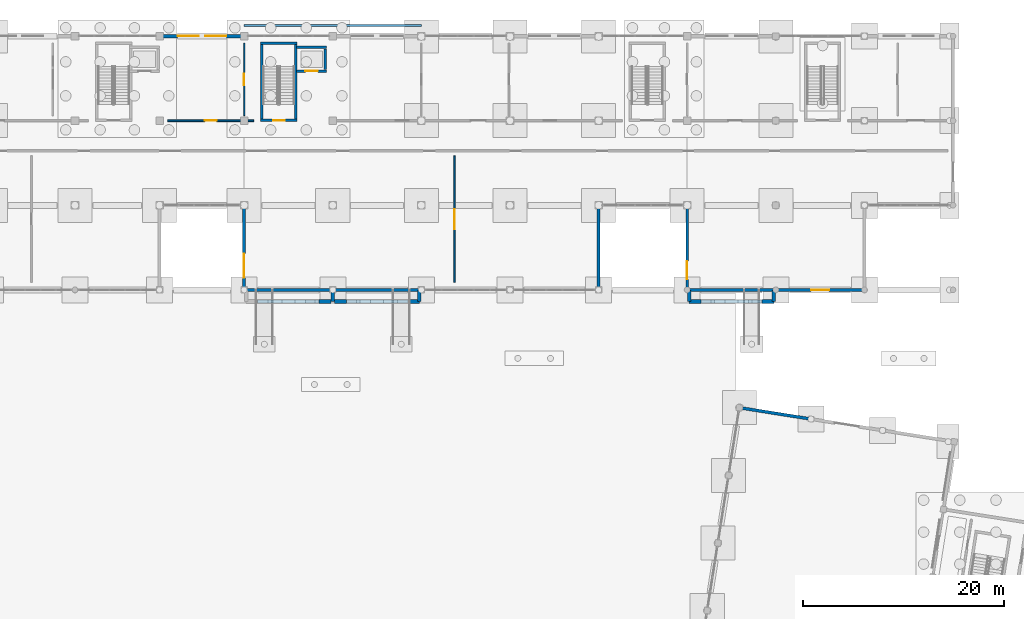
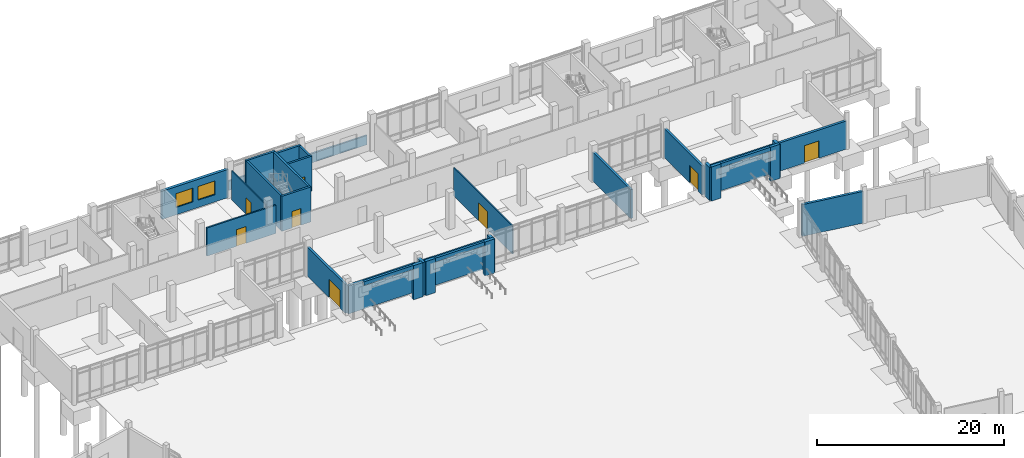
# One storey, part 47 of 72: 32 walls, 8 doors, 2 windows, 10 openings.
"""IFC4 building model written with IfcOpenShell, lengths in metres."""

from ifc_helpers import new_model, si_unit, direction, frame, frame_2d, origin, place, context, subcontext, project, spatial, rectangle, extrude, material, layer, layer_set, type_object, element, fill, save


model = new_model("IFC4")

# Units and contexts
model_context = context("Model", 3, precision=1e-05, world=origin(), true_north=direction((0.0, 1.0)))
body_context = subcontext(model_context, "Body", "Model", "MODEL_VIEW")
ifc_project = project(units=[si_unit("LENGTHUNIT", "METRE"), si_unit("AREAUNIT", "SQUARE_METRE"), si_unit("VOLUMEUNIT", "CUBIC_METRE"), si_unit("PLANEANGLEUNIT", "RADIAN"), si_unit("MASSUNIT", "GRAM", prefix="KILO")], contexts=[model_context])

# Site, building, storey
site_placement = place(None, origin())
site = spatial("IfcSite", under=ifc_project, at=site_placement, CompositionType="ELEMENT")
building_placement = place(site_placement, origin())
building = spatial("IfcBuilding", under=site, at=building_placement, Name="Cinderway Yard Community Centre", CompositionType="ELEMENT")
storey_placement = place(building_placement, origin())
storey = spatial("IfcBuildingStorey", under=building, at=storey_placement, Name="L00", CompositionType="ELEMENT", Elevation=0.0)

# Walls
ifc_material_1 = material(Name="Brick Masonry", Category="masonry")
ifc_layer_1 = layer(ifc_material_1, 0.360107421875, Name="Brick Masonry")
ifc_layer_set_1 = layer_set([ifc_layer_1], Name="Brick Masonry")
wall_type_1 = type_object("IfcWallType", Name="ENV-WAL-ARCH360", PredefinedType="SOLIDWALL", material=ifc_layer_set_1)
for number, where, z_axis, x_axis, name in (
    (1, (82.64990234375, 88.85009765625, 0.0), (0.0, 0.0, 1.0), (1.0, 0.0, 0.0), "Civic Reception West Arched Niche Pier 7B ENV-WAL-L00-0216"),
    (2, (84.179931640625, 88.85009765625, 0.0), (0.0, 0.0, 1.0), (1.0, 0.0, 0.0), "Civic Reception East Arched Niche Pier 8A ENV-WAL-L00-0218"),
    (3, (91.449951171875, 88.85009765625, 0.0), (0.0, 0.0, 1.0), (1.0, 0.0, 0.0), "Civic Reception East Arched Niche Pier 8B ENV-WAL-L00-0219"),
    (4, (119.3798828125, 88.85009765625, 0.0), (0.0, 0.0, 1.0), (1.0, 0.0, 0.0), "Nursery Courtyard Arched Niche Pier 9A ENV-WAL-L00-0221"),
    (5, (126.64990234375, 88.85009765625, 0.0), (0.0, 0.0, 1.0), (1.0, 0.0, 0.0), "Nursery Courtyard Arched Niche Pier 9B ENV-WAL-L00-0222"),
):
    element("IfcWall", number, at=place(storey_placement, frame(where, z_axis=z_axis, x_axis=x_axis)), inside=storey, type_object=wall_type_1, Name=name, PredefinedType="SOLIDWALL", context=body_context, shape_type="SweptSolid", body=[
        extrude(rectangle(XDim=1.170166015625, YDim=0.360107421875, at=frame_2d((0.5849609375, 0.0))), origin(), (0.0, 0.0, 1.0), 4.449951171875),
    ])
for number, where, z_axis, x_axis, name in (
    (6, (84.0, 88.85009765625, 0.0), (0.0, 0.0, 1.0), (0.0, 1.0, 0.0), "Courtyard Arch Niche Cheek Return ENV-WAL-L00-0225"),
    (7, (92.60009765625, 88.85009765625, 0.0), (0.0, 0.0, 1.0), (0.0, 1.0, 0.0), "Courtyard Arch Niche Cheek Return ENV-WAL-L00-0226"),
    (8, (119.39990234375, 88.85009765625, 0.0), (0.0, 0.0, 1.0), (0.0, 1.0, 0.0), "Courtyard Arch Niche Cheek Return ENV-WAL-L00-0227"),
    (9, (127.800048828125, 88.85009765625, 0.0), (0.0, 0.0, 1.0), (0.0, 1.0, 0.0), "Courtyard Arch Niche Cheek Return ENV-WAL-L00-0228"),
):
    element("IfcWall", number, at=place(storey_placement, frame(where, z_axis=z_axis, x_axis=x_axis)), inside=storey, type_object=wall_type_1, Name=name, PredefinedType="SOLIDWALL", context=body_context, shape_type="SweptSolid", body=[
        extrude(rectangle(XDim=1.06982421875, YDim=0.360107421875, at=frame_2d((0.534912109375, 0.0))), origin(), (0.0, 0.0, 1.0), 4.300048828125),
    ])

# Wall, opening, door
ifc_material_2 = material(Name="Concrete C35/45", Category="concrete")
ifc_layer_2 = layer(ifc_material_2, 0.280029296875, Name="Concrete C35/45")
ifc_layer_set_2 = layer_set([ifc_layer_2], Name="Concrete C35/45")
wall_type_2 = type_object("IfcWallType", Name="ENV-WAL-EXT280", PredefinedType="SOLIDWALL", material=ifc_layer_set_2)
wall_1_placement = place(storey_placement, frame((75.199951171875, 90.14990234375, 0.0), z_axis=(0.0, 0.0, 1.0), x_axis=(0.0, 1.0, 0.0)))
wall_1 = element("IfcWall", 10, at=wall_1_placement, inside=storey, type_object=wall_type_2, Name="V4 Courtyard Step Wall ENV-WAL-L00-0142", PredefinedType="SOLIDWALL", context=body_context, shape_type="SweptSolid", body=[
    extrude(rectangle(XDim=8.10009765625, YDim=0.280029296875, at=frame_2d((4.050048828125, 0.0))), origin(), (0.0, 0.0, 1.0), 3.77490234375),
])
opening_1_placement = place(wall_1_placement, frame((1.050048828125, 0.0, 0.0)))
opening_1 = element("IfcOpeningElement", 11, at=opening_1_placement, cuts=wall_1, Name="Opening D-EX1", PredefinedType="OPENING", context=body_context, shape_type="SweptSolid", body=[
    extrude(rectangle(XDim=2.39990234375, YDim=2.39990234375, at=frame_2d((1.199951171875, 1.199951171875))), frame((0.0, 0.14990234375, 0.0), z_axis=(0.0, -1.0, 0.0), x_axis=(1.0, 0.0, 0.0)), (0.0, 0.0, 1.0), 0.300048828125),
])
ifc_material_3 = material(Name="Aluminium 6063-T6", Category="aluminium")
door_type_1 = type_object("IfcDoorType", Name="INT-DOR-EXT240", OperationType="DOUBLE_DOOR_SINGLE_SWING", PredefinedType="DOOR", material=ifc_material_3)
door_1_placement = place(opening_1_placement, origin())
door_1 = element("IfcDoor", 12, at=door_1_placement, inside=storey, type_object=door_type_1, Name="Main Civic Courtyard Entrance A EXT-DOR-L00-0075", OperationType="DOUBLE_DOOR_SINGLE_SWING", OverallHeight=2.39990234375, OverallWidth=2.39990234375, PredefinedType="DOOR", context=body_context, shape_type="SweptSolid", body=[
    extrude(rectangle(XDim=2.39990234375, YDim=2.39990234375, at=frame_2d((1.199951171875, 1.199951171875))), frame((0.0, 0.02490234375, 0.0), z_axis=(0.0, -1.0, 0.0), x_axis=(1.0, 0.0, 0.0)), (0.0, 0.0, 1.0), 0.050048828125),
])
fill(opening_1, door_1)

# Wall
wall_2_placement = place(storey_placement, frame((110.39990234375, 90.14990234375, 0.0), z_axis=(0.0, 0.0, 1.0), x_axis=(0.0, 1.0, 0.0)))
element("IfcWall", 13, at=wall_2_placement, inside=storey, type_object=wall_type_2, Name="V4 Courtyard Step Wall ENV-WAL-L00-0143", PredefinedType="SOLIDWALL", context=body_context, shape_type="SweptSolid", body=[
    extrude(rectangle(XDim=8.10009765625, YDim=0.280029296875, at=frame_2d((4.050048828125, 0.0))), origin(), (0.0, 0.0, 1.0), 3.77490234375),
])

# Wall, opening, door
wall_3_placement = place(storey_placement, frame((119.199951171875, 90.14990234375, 0.0), z_axis=(0.0, 0.0, 1.0), x_axis=(0.0, 1.0, 0.0)))
wall_3 = element("IfcWall", 14, at=wall_3_placement, inside=storey, type_object=wall_type_2, Name="V4 Courtyard Step Wall ENV-WAL-L00-0144", PredefinedType="SOLIDWALL", context=body_context, shape_type="SweptSolid", body=[
    extrude(rectangle(XDim=8.10009765625, YDim=0.280029296875, at=frame_2d((4.050048828125, 0.0))), origin(), (0.0, 0.0, 1.0), 3.77490234375),
])
opening_2_placement = place(wall_3_placement, frame((0.89990234375, 0.0, 0.0)))
opening_2 = element("IfcOpeningElement", 15, at=opening_2_placement, cuts=wall_3, Name="Opening D-EX3", PredefinedType="OPENING", context=body_context, shape_type="SweptSolid", body=[
    extrude(rectangle(XDim=1.800048828125, YDim=2.25, at=frame_2d((0.89990234375, 1.125))), frame((0.0, 0.14990234375, 0.0), z_axis=(0.0, -1.0, 0.0), x_axis=(1.0, 0.0, 0.0)), (0.0, 0.0, 1.0), 0.300048828125),
])
door_type_2 = type_object("IfcDoorType", Name="INT-DOR-EXT180", OperationType="DOUBLE_DOOR_SINGLE_SWING", PredefinedType="DOOR", material=ifc_material_3)
door_2_placement = place(opening_2_placement, origin())
door_2 = element("IfcDoor", 16, at=door_2_placement, inside=storey, type_object=door_type_2, Name="Nursery Play-Court Direct Exit A EXT-DOR-L00-0076", OperationType="DOUBLE_DOOR_SINGLE_SWING", OverallHeight=2.25, OverallWidth=1.800048828125, PredefinedType="DOOR", context=body_context, shape_type="SweptSolid", body=[
    extrude(rectangle(XDim=1.800048828125, YDim=2.25, at=frame_2d((0.89990234375, 1.125))), frame((0.0, 0.02490234375, 0.0), z_axis=(0.0, -1.0, 0.0), x_axis=(1.0, 0.0, 0.0)), (0.0, 0.0, 1.0), 0.050048828125),
])
fill(opening_2, door_2)

# Walls
for number, where, z_axis, x_axis, name in (
    (17, (76.550048828125, 88.85009765625, 3.949951171875), (0.0, 0.0, 1.0), (1.0, 0.0, 0.0), "Civic Reception West Arched Niche Spandrel 7 ENV-WAL-L00-0217"),
    (18, (85.35009765625, 88.85009765625, 3.949951171875), (0.0, 0.0, 1.0), (1.0, 0.0, 0.0), "Civic Reception East Arched Niche Spandrel 8 ENV-WAL-L00-0220"),
    (19, (120.550048828125, 88.85009765625, 3.949951171875), (0.0, 0.0, 1.0), (1.0, 0.0, 0.0), "Nursery Courtyard Arched Niche Spandrel 9 ENV-WAL-L00-0223"),
):
    element("IfcWall", number, at=place(storey_placement, frame(where, z_axis=z_axis, x_axis=x_axis)), inside=storey, type_object=wall_type_2, Name=name, PredefinedType="SOLIDWALL", context=body_context, shape_type="SweptSolid", body=[
        extrude(rectangle(XDim=6.099853515625, YDim=0.280029296875, at=frame_2d((3.0498046875, 0.0))), origin(), (0.0, 0.0, 1.0), 0.5),
    ])
ifc_layer_3 = layer(ifc_material_1, 0.300048828125, Name="Brick Masonry")
ifc_layer_set_3 = layer_set([ifc_layer_3], Name="Brick Masonry")
wall_type_3 = type_object("IfcWallType", Name="ENV-WAL-EXT300", PredefinedType="SOLIDWALL", material=ifc_layer_set_3)
wall_4_placement = place(storey_placement, frame((124.48095703125, 78.281982421875, 0.0), z_axis=(0.0, 0.0, 1.0), x_axis=(0.987690751091, -0.156419245009, 0.0)))
element("IfcWall", 20, at=wall_4_placement, inside=storey, type_object=wall_type_3, Name="Sports North End Wall ENV-WAL-L00-0055", PredefinedType="SOLIDWALL", context=body_context, shape_type="SweptSolid", body=[
    extrude(rectangle(XDim=7.000244140625, YDim=0.300048828125, at=frame_2d((3.5, 0.0))), origin(), (0.0, 0.0, 1.0), 4.135009765625),
])
for number, where, z_axis, x_axis, name in (
    (21, (75.300048828125, 90.0, 0.0), (0.0, 0.0, 1.0), (1.0, 0.0, 0.0), "V4 Courtyard Portal Wall ENV-WAL-L00-0128"),
    (22, (84.10009765625, 90.0, 0.0), (0.0, 0.0, 1.0), (1.0, 0.0, 0.0), "V4 Courtyard Portal Wall ENV-WAL-L00-0130"),
    (23, (119.300048828125, 90.0, 0.0), (0.0, 0.0, 1.0), (1.0, 0.0, 0.0), "V4 Courtyard Portal Wall ENV-WAL-L00-0133"),
):
    element("IfcWall", number, at=place(storey_placement, frame(where, z_axis=z_axis, x_axis=x_axis)), inside=storey, type_object=wall_type_3, Name=name, PredefinedType="SOLIDWALL", context=body_context, shape_type="SweptSolid", body=[
        extrude(rectangle(XDim=8.599853515625, YDim=0.300048828125, at=frame_2d((4.2998046875, 0.0))), origin(), (0.0, 0.0, 1.0), 3.675048828125),
    ])

# Wall, opening, door
wall_5_placement = place(storey_placement, frame((128.10009765625, 90.0, 0.0), z_axis=(0.0, 0.0, 1.0), x_axis=(1.0, 0.0, 0.0)))
wall_5 = element("IfcWall", 24, at=wall_5_placement, inside=storey, type_object=wall_type_3, Name="V4 Courtyard Portal Wall ENV-WAL-L00-0134", PredefinedType="SOLIDWALL", context=body_context, shape_type="SweptSolid", body=[
    extrude(rectangle(XDim=8.599853515625, YDim=0.300048828125, at=frame_2d((4.2998046875, 0.0))), origin(), (0.0, 0.0, 1.0), 3.675048828125),
])
opening_3_placement = place(wall_5_placement, frame((3.39990234375, 0.0, 0.0)))
opening_3 = element("IfcOpeningElement", 25, at=opening_3_placement, cuts=wall_5, Name="Opening D-EX3", PredefinedType="OPENING", context=body_context, shape_type="SweptSolid", body=[
    extrude(rectangle(XDim=1.800048828125, YDim=2.25, at=frame_2d((0.89990234375, 1.125))), frame((0.0, 0.159912109375, 0.0), z_axis=(0.0, -1.0, 0.0), x_axis=(1.0, 0.0, 0.0)), (0.0, 0.0, 1.0), 0.320068359375),
])
door_3_placement = place(opening_3_placement, origin())
door_3 = element("IfcDoor", 26, at=door_3_placement, inside=storey, type_object=door_type_2, Name="Nursery Play-Court Direct Exit B EXT-DOR-L00-0077", OperationType="DOUBLE_DOOR_SINGLE_SWING", OverallHeight=2.25, OverallWidth=1.800048828125, PredefinedType="DOOR", context=body_context, shape_type="SweptSolid", body=[
    extrude(rectangle(XDim=1.800048828125, YDim=2.25, at=frame_2d((0.89990234375, 1.125))), frame((0.0, 0.02490234375, 0.0), z_axis=(0.0, -1.0, 0.0), x_axis=(1.0, 0.0, 0.0)), (0.0, 0.0, 1.0), 0.050048828125),
])
fill(opening_3, door_3)

# Wall, openings, windows
ifc_layer_4 = layer(ifc_material_1, 0.340087890625, Name="Brick Masonry")
ifc_layer_set_4 = layer_set([ifc_layer_4], Name="Brick Masonry")
wall_type_4 = type_object("IfcWallType", Name="ENV-WAL-EXT340", PredefinedType="SOLIDWALL", material=ifc_layer_set_4)
wall_6_placement = place(storey_placement, frame((66.89990234375, 115.199951171875, 0.0), z_axis=(0.0, 0.0, 1.0), x_axis=(1.0, 0.0, 0.0)))
wall_6 = element("IfcWall", 27, at=wall_6_placement, inside=storey, type_object=wall_type_4, Name="V4 Street Brick Facade Wall ENV-WAL-L00-0127", PredefinedType="SOLIDWALL", context=body_context, shape_type="SweptSolid", body=[
    extrude(rectangle(XDim=8.2001953125, YDim=0.340087890625, at=frame_2d((4.10009765625, 0.0))), origin(), (0.0, 0.0, 1.0), 3.675048828125),
])
opening_4_placement = place(wall_6_placement, frame((1.68310546875, 0.0, 0.949951171875)))
opening_4 = element("IfcOpeningElement", 28, at=opening_4_placement, cuts=wall_6, Name="Opening W-09", PredefinedType="OPENING", context=body_context, shape_type="SweptSolid", body=[
    extrude(rectangle(XDim=2.10009765625, YDim=1.800048828125, at=frame_2d((1.050048828125, 0.89990234375))), frame((0.0, 0.179931640625, 0.0), z_axis=(0.0, -1.0, 0.0), x_axis=(1.0, 0.0, 0.0)), (0.0, 0.0, 1.0), 0.360107421875),
])
opening_5_placement = place(wall_6_placement, frame((4.4169921875, 0.0, 0.949951171875)))
opening_5 = element("IfcOpeningElement", 29, at=opening_5_placement, cuts=wall_6, Name="Opening W-09", PredefinedType="OPENING", context=body_context, shape_type="SweptSolid", body=[
    extrude(rectangle(XDim=2.10009765625, YDim=1.800048828125, at=frame_2d((1.050048828125, 0.89990234375))), frame((0.0, 0.179931640625, 0.0), z_axis=(0.0, -1.0, 0.0), x_axis=(1.0, 0.0, 0.0)), (0.0, 0.0, 1.0), 0.360107421875),
])
ifc_material_4 = material(Name="Laminated Low-E Glass", Category="glass")
window_type = type_object("IfcWindowType", Name="ENV-WIN-W09", PartitioningType="TRIPLE_PANEL_VERTICAL", PredefinedType="WINDOW", material=ifc_material_4)
window_1_placement = place(opening_4_placement, origin())
window_1 = element("IfcWindow", 30, at=window_1_placement, inside=storey, type_object=window_type, Name="Exterior window ENV-WIN-L00-0091", OverallHeight=1.800048828125, OverallWidth=2.10009765625, PartitioningType="SINGLE_PANEL", PredefinedType="WINDOW", context=body_context, shape_type="SweptSolid", body=[
    extrude(rectangle(XDim=2.10009765625, YDim=1.800048828125, at=frame_2d((1.050048828125, 0.89990234375))), frame((0.0, 0.030029296875, 0.0), z_axis=(0.0, -1.0, 0.0), x_axis=(1.0, 0.0, 0.0)), (0.0, 0.0, 1.0), 0.06005859375),
])
fill(opening_4, window_1)
window_2_placement = place(opening_5_placement, origin())
window_2 = element("IfcWindow", 31, at=window_2_placement, inside=storey, type_object=window_type, Name="Exterior window ENV-WIN-L00-0092", OverallHeight=1.800048828125, OverallWidth=2.10009765625, PartitioningType="SINGLE_PANEL", PredefinedType="WINDOW", context=body_context, shape_type="SweptSolid", body=[
    extrude(rectangle(XDim=2.10009765625, YDim=1.800048828125, at=frame_2d((1.050048828125, 0.89990234375))), frame((0.0, 0.030029296875, 0.0), z_axis=(0.0, -1.0, 0.0), x_axis=(1.0, 0.0, 0.0)), (0.0, 0.0, 1.0), 0.06005859375),
])
fill(opening_5, window_2)

# Wall
ifc_layer_5 = layer(ifc_material_2, 0.199951171875, Name="Concrete C35/45")
ifc_layer_set_5 = layer_set([ifc_layer_5], Name="Concrete C35/45")
wall_type_5 = type_object("IfcWallType", Name="ENV-WAL-PAR200", PredefinedType="PARAPET", material=ifc_layer_set_5)
wall_7_placement = place(storey_placement, frame((75.199951171875, 116.25, 0.0), z_axis=(0.0, 0.0, 1.0), x_axis=(1.0, 0.0, 0.0)))
element("IfcWall", 32, at=wall_7_placement, inside=storey, type_object=wall_type_5, Name="Roof parapet upstand ENV-WAL-L00-0252", PredefinedType="PARAPET", context=body_context, shape_type="SweptSolid", body=[
    extrude(rectangle(XDim=17.60009765625, YDim=0.199951171875, at=frame_2d((8.800048828125, 0.0))), origin(), (0.0, 0.0, 1.0), 1.199951171875),
])

# Wall, opening, door
ifc_material_5 = material(Name="Gypsum Board Partition", Category="gypsum")
ifc_layer_6 = layer(ifc_material_5, 0.1201171875, Name="Gypsum Board Partition")
ifc_layer_set_6 = layer_set([ifc_layer_6], Name="Gypsum Board Partition")
wall_type_6 = type_object("IfcWallType", Name="INT-WAL-PRT120", PredefinedType="PARTITIONING", material=ifc_layer_set_6)
wall_8_placement = place(storey_placement, frame((75.199951171875, 107.300048828125, 0.0), z_axis=(0.0, 0.0, 1.0), x_axis=(0.0, 1.0, 0.0)))
wall_8 = element("IfcWall", 33, at=wall_8_placement, inside=storey, type_object=wall_type_6, Name="V4 L00 North Room Partition INT-PRT-L00-0286", PredefinedType="PARTITIONING", context=body_context, shape_type="SweptSolid", body=[
    extrude(rectangle(XDim=7.199951171875, YDim=0.1201171875, at=frame_2d((3.60009765625, 0.0))), origin(), (0.0, 0.0, 1.0), 3.77490234375),
])
opening_6_placement = place(wall_8_placement, frame((3.0400390625, 0.0, 0.0)))
opening_6 = element("IfcOpeningElement", 34, at=opening_6_placement, cuts=wall_8, Name="Opening D-03", PredefinedType="OPENING", context=body_context, shape_type="SweptSolid", body=[
    extrude(rectangle(XDim=1.1201171875, YDim=2.159912109375, at=frame_2d((0.56005859375, 1.080078125))), frame((0.0, 0.070068359375, 0.0), z_axis=(0.0, -1.0, 0.0), x_axis=(1.0, 0.0, 0.0)), (0.0, 0.0, 1.0), 0.14013671875),
])
ifc_material_6 = material(Name="Hardwood Timber", Category="wood")
door_type_3 = type_object("IfcDoorType", Name="INT-DOR-CLS112", OperationType="NOTDEFINED", PredefinedType="DOOR", material=ifc_material_6)
door_4_placement = place(opening_6_placement, origin())
door_4 = element("IfcDoor", 35, at=door_4_placement, inside=storey, type_object=door_type_3, Name="Room door INT-DOR-L00-0149", OperationType="SINGLE_SWING_LEFT", OverallHeight=2.159912109375, OverallWidth=1.1201171875, PredefinedType="DOOR", context=body_context, shape_type="SweptSolid", body=[
    extrude(rectangle(XDim=1.1201171875, YDim=2.159912109375, at=frame_2d((0.56005859375, 1.080078125))), frame((0.0, 0.02490234375, 0.0), z_axis=(0.0, -1.0, 0.0), x_axis=(1.0, 0.0, 0.0)), (0.0, 0.0, 1.0), 0.050048828125),
])
fill(opening_6, door_4)

ifc_layer_7 = layer(ifc_material_5, 0.139892578125, Name="Gypsum Board Partition")
ifc_layer_set_7 = layer_set([ifc_layer_7], Name="Gypsum Board Partition")
wall_type_7 = type_object("IfcWallType", Name="INT-WAL-PRT140", PredefinedType="PARTITIONING", material=ifc_layer_set_7)
wall_9_placement = place(storey_placement, frame((96.10009765625, 90.75, 0.0), z_axis=(0.0, 0.0, 1.0), x_axis=(0.0, 1.0, 0.0)))
wall_9 = element("IfcWall", 36, at=wall_9_placement, inside=storey, type_object=wall_type_7, Name="V4 L00 South Room Partition INT-PRT-L00-0284", PredefinedType="PARTITIONING", context=body_context, shape_type="SweptSolid", body=[
    extrude(rectangle(XDim=12.550048828125, YDim=0.139892578125, at=frame_2d((6.27490234375, 0.0))), origin(), (0.0, 0.0, 1.0), 3.675048828125),
])
opening_7_placement = place(wall_9_placement, frame((5.27490234375, 0.0, 0.0)))
opening_7 = element("IfcOpeningElement", 37, at=opening_7_placement, cuts=wall_9, Name="Opening D-01", PredefinedType="OPENING", context=body_context, shape_type="SweptSolid", body=[
    extrude(rectangle(XDim=2.0, YDim=2.300048828125, at=frame_2d((1.0, 1.14990234375))), frame((0.0, 0.079833984375, 0.0), z_axis=(0.0, -1.0, 0.0), x_axis=(1.0, 0.0, 0.0)), (0.0, 0.0, 1.0), 0.159912109375),
])
door_type_4 = type_object("IfcDoorType", Name="INT-DOR-HAL200", OperationType="DOUBLE_DOOR_SINGLE_SWING", PredefinedType="DOOR", material=ifc_material_6)
door_5_placement = place(opening_7_placement, origin())
door_5 = element("IfcDoor", 38, at=door_5_placement, inside=storey, type_object=door_type_4, Name="Room door INT-DOR-L00-0147", OperationType="DOUBLE_DOOR_SINGLE_SWING", OverallHeight=2.300048828125, OverallWidth=2.0, PredefinedType="DOOR", context=body_context, shape_type="SweptSolid", body=[
    extrude(rectangle(XDim=2.0, YDim=2.300048828125, at=frame_2d((1.0, 1.14990234375))), frame((0.0, 0.02490234375, 0.0), z_axis=(0.0, -1.0, 0.0), x_axis=(1.0, 0.0, 0.0)), (0.0, 0.0, 1.0), 0.050048828125),
])
fill(opening_7, door_5)

ifc_layer_8 = layer(ifc_material_1, 0.179931640625, Name="Brick Masonry")
ifc_layer_set_8 = layer_set([ifc_layer_8], Name="Brick Masonry")
wall_type_8 = type_object("IfcWallType", Name="INT-WAL-PRT180", PredefinedType="PARTITIONING", material=ifc_layer_set_8)
wall_10_placement = place(storey_placement, frame((67.60009765625, 106.800048828125, 0.0), z_axis=(0.0, 0.0, 1.0), x_axis=(1.0, 0.0, 0.0)))
wall_10 = element("IfcWall", 39, at=wall_10_placement, inside=storey, type_object=wall_type_8, Name="V4 L00 North Corridor Spine INT-PRT-L00-0279", PredefinedType="PARTITIONING", context=body_context, shape_type="SweptSolid", body=[
    extrude(rectangle(XDim=8.52978515625, YDim=0.179931640625, at=frame_2d((4.264892578125, 0.0))), origin(), (0.0, 0.0, 1.0), 3.675048828125),
])
opening_8_placement = place(wall_10_placement, frame((3.675048828125, 0.0, 0.0)))
opening_8 = element("IfcOpeningElement", 40, at=opening_8_placement, cuts=wall_10, Name="Opening D-11", PredefinedType="OPENING", context=body_context, shape_type="SweptSolid", body=[
    extrude(rectangle(XDim=1.179931640625, YDim=2.179931640625, at=frame_2d((0.58984375, 1.08984375))), frame((0.0, 0.099853515625, 0.0), z_axis=(0.0, -1.0, 0.0), x_axis=(1.0, 0.0, 0.0)), (0.0, 0.0, 1.0), 0.199951171875),
])
ifc_material_7 = material(Name="Painted Galvanised Steel", Category="steel")
door_type_5 = type_object("IfcDoorType", Name="INT-DOR-STR118", OperationType="NOTDEFINED", PredefinedType="DOOR", material=ifc_material_7)
door_6_placement = place(opening_8_placement, origin())
door_6 = element("IfcDoor", 41, at=door_6_placement, inside=storey, type_object=door_type_5, Name="Room door INT-DOR-L00-0140", OperationType="SINGLE_SWING_LEFT", OverallHeight=2.179931640625, OverallWidth=1.179931640625, PredefinedType="DOOR", context=body_context, shape_type="SweptSolid", body=[
    extrude(rectangle(XDim=1.179931640625, YDim=2.179931640625, at=frame_2d((0.58984375, 1.08984375))), frame((0.0, 0.02490234375, 0.0), z_axis=(0.0, -1.0, 0.0), x_axis=(1.0, 0.0, 0.0)), (0.0, 0.0, 1.0), 0.050048828125),
])
fill(opening_8, door_6)

ifc_material_8 = material(Name="Concrete C40/50", Category="concrete")
ifc_layer_9 = layer(ifc_material_8, 0.25, Name="Concrete C40/50")
ifc_layer_set_9 = layer_set([ifc_layer_9], Name="Concrete C40/50")
wall_type_9 = type_object("IfcWallType", Name="INT-WAL-SHR250", PredefinedType="SHEAR", material=ifc_layer_set_9)
wall_11_placement = place(storey_placement, frame((80.445068359375, 106.830078125, 0.0), z_axis=(0.0, 0.0, 1.0), x_axis=(-1.0, 0.0, 0.0)))
wall_11 = element("IfcWall", 42, at=wall_11_placement, inside=storey, type_object=wall_type_9, Name="Stair ST-02 Entry Wall INT-WAL-L00-0043", PredefinedType="SHEAR", context=body_context, shape_type="SweptSolid", body=[
    extrude(rectangle(XDim=3.610107421875, YDim=0.25, at=frame_2d((1.80517578125, 0.0))), origin(), (0.0, 0.0, 1.0), 4.56005859375),
])
opening_9_placement = place(wall_11_placement, frame((1.235107421875, 0.0, 0.0)))
opening_9 = element("IfcOpeningElement", 43, at=opening_9_placement, cuts=wall_11, Name="Opening D-ST2", PredefinedType="OPENING", context=body_context, shape_type="SweptSolid", body=[
    extrude(rectangle(XDim=1.139892578125, YDim=2.14990234375, at=frame_2d((0.56982421875, 1.074951171875))), frame((0.0, 0.135009765625, 0.0), z_axis=(0.0, -1.0, 0.0), x_axis=(1.0, 0.0, 0.0)), (0.0, 0.0, 1.0), 0.27001953125),
])
door_type_6 = type_object("IfcDoorType", Name="INT-DOR-ST114", OperationType="NOTDEFINED", PredefinedType="DOOR", material=ifc_material_7)
door_7_placement = place(opening_9_placement, origin())
door_7 = element("IfcDoor", 44, at=door_7_placement, inside=storey, type_object=door_type_6, Name="Core door INT-DOR-L00-0013", OperationType="SINGLE_SWING_LEFT", OverallHeight=2.14990234375, OverallWidth=1.139892578125, PredefinedType="DOOR", context=body_context, shape_type="SweptSolid", body=[
    extrude(rectangle(XDim=1.139892578125, YDim=2.14990234375, at=frame_2d((0.56982421875, 1.074951171875))), frame((0.0, 0.02490234375, 0.0), z_axis=(0.0, -1.0, 0.0), x_axis=(1.0, 0.0, 0.0)), (0.0, 0.0, 1.0), 0.050048828125),
])
fill(opening_9, door_7)

# Walls
wall_12_placement = place(storey_placement, frame((76.8349609375, 114.469970703125, 0.0), z_axis=(0.0, 0.0, 1.0), x_axis=(1.0, 0.0, 0.0)))
element("IfcWall", 45, at=wall_12_placement, inside=storey, type_object=wall_type_9, Name="Stair ST-02 Back Wall INT-WAL-L00-0044", PredefinedType="SHEAR", context=body_context, shape_type="SweptSolid", body=[
    extrude(rectangle(XDim=3.610107421875, YDim=0.25, at=frame_2d((1.80517578125, 0.0))), origin(), (0.0, 0.0, 1.0), 4.56005859375),
])
for number, where, z_axis, x_axis, name in (
    (46, (76.9599609375, 106.955078125, 0.0), (0.0, 0.0, 1.0), (0.0, 1.0, 0.0), "Stair ST-02 Side Wall L INT-WAL-L00-0045"),
    (47, (80.320068359375, 114.344970703125, 0.0), (0.0, 0.0, 1.0), (0.0, -1.0, 0.0), "Stair ST-02 Side Wall R INT-WAL-L00-0046"),
):
    element("IfcWall", number, at=place(storey_placement, frame(where, z_axis=z_axis, x_axis=x_axis)), inside=storey, type_object=wall_type_9, Name=name, PredefinedType="SHEAR", context=body_context, shape_type="SweptSolid", body=[
        extrude(rectangle(XDim=7.389892578125, YDim=0.25, at=frame_2d((3.69482421875, 0.0))), origin(), (0.0, 0.0, 1.0), 4.56005859375),
    ])

# Wall, opening, door
wall_13_placement = place(storey_placement, frame((80.39990234375, 111.72998046875, 0.0), z_axis=(0.0, 0.0, 1.0), x_axis=(1.0, 0.0, 0.0)))
wall_13 = element("IfcWall", 48, at=wall_13_placement, inside=storey, type_object=wall_type_9, Name="Lift LF-02 South Wall INT-WAL-L00-0067", PredefinedType="SHEAR", context=body_context, shape_type="SweptSolid", body=[
    extrude(rectangle(XDim=3.0, YDim=0.25, at=frame_2d((1.5, 0.0))), origin(), (0.0, 0.0, 1.0), 4.56005859375),
])
opening_10_placement = place(wall_13_placement, frame((0.889892578125, 0.0, 0.0)))
opening_10 = element("IfcOpeningElement", 49, at=opening_10_placement, cuts=wall_13, Name="Opening LD-02", PredefinedType="OPENING", context=body_context, shape_type="SweptSolid", body=[
    extrude(rectangle(XDim=1.219970703125, YDim=2.179931640625, at=frame_2d((0.60986328125, 1.08984375))), frame((0.0, 0.135009765625, 0.0), z_axis=(0.0, -1.0, 0.0), x_axis=(1.0, 0.0, 0.0)), (0.0, 0.0, 1.0), 0.27001953125),
])
door_type_7 = type_object("IfcDoorType", Name="INT-DOR-LD02", OperationType="SLIDING_TO_RIGHT", PredefinedType="DOOR", material=ifc_material_7)
door_8_placement = place(opening_10_placement, origin())
door_8 = element("IfcDoor", 50, at=door_8_placement, inside=storey, type_object=door_type_7, Name="Lift landing door INT-DOR-L00-0019", OperationType="SLIDING_TO_RIGHT", OverallHeight=2.179931640625, OverallWidth=1.219970703125, PredefinedType="DOOR", context=body_context, shape_type="SweptSolid", body=[
    extrude(rectangle(XDim=1.219970703125, YDim=2.179931640625, at=frame_2d((0.60986328125, 1.08984375))), frame((0.0, 0.02490234375, 0.0), z_axis=(0.0, -1.0, 0.0), x_axis=(1.0, 0.0, 0.0)), (0.0, 0.0, 1.0), 0.050048828125),
])
fill(opening_10, door_8)

# Walls
wall_14_placement = place(storey_placement, frame((83.39990234375, 114.070068359375, 0.0), z_axis=(0.0, 0.0, 1.0), x_axis=(-1.0, 0.0, 0.0)))
element("IfcWall", 51, at=wall_14_placement, inside=storey, type_object=wall_type_9, Name="Lift LF-02 North Wall INT-WAL-L00-0068", PredefinedType="SHEAR", context=body_context, shape_type="SweptSolid", body=[
    extrude(rectangle(XDim=3.0, YDim=0.25, at=frame_2d((1.5, 0.0))), origin(), (0.0, 0.0, 1.0), 4.56005859375),
])
wall_15_placement = place(storey_placement, frame((83.27001953125, 111.860107421875, 0.0), z_axis=(0.0, 0.0, 1.0), x_axis=(0.0, 1.0, 0.0)))
element("IfcWall", 52, at=wall_15_placement, inside=storey, type_object=wall_type_9, Name="Lift LF-02 East Wall INT-WAL-L00-0069", PredefinedType="SHEAR", context=body_context, shape_type="SweptSolid", body=[
    extrude(rectangle(XDim=2.079833984375, YDim=0.25, at=frame_2d((1.0400390625, 0.0))), origin(), (0.0, 0.0, 1.0), 4.56005859375),
])

save(model, "model.ifc")
